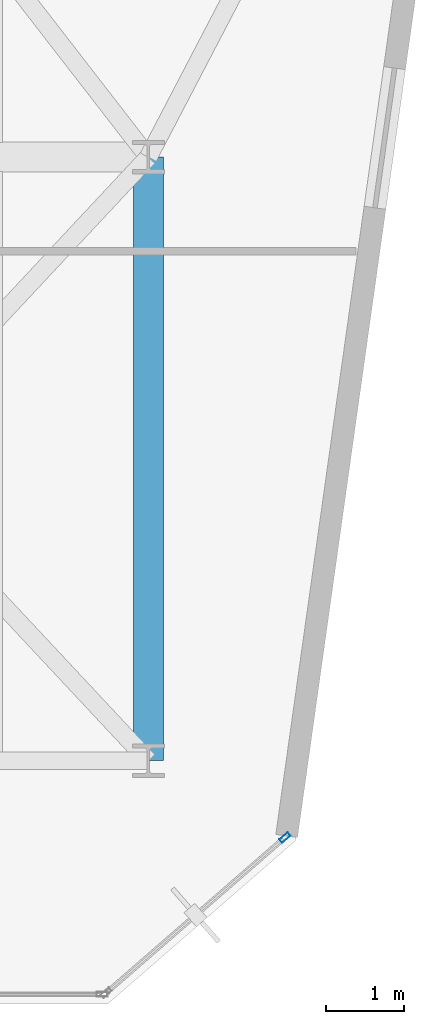
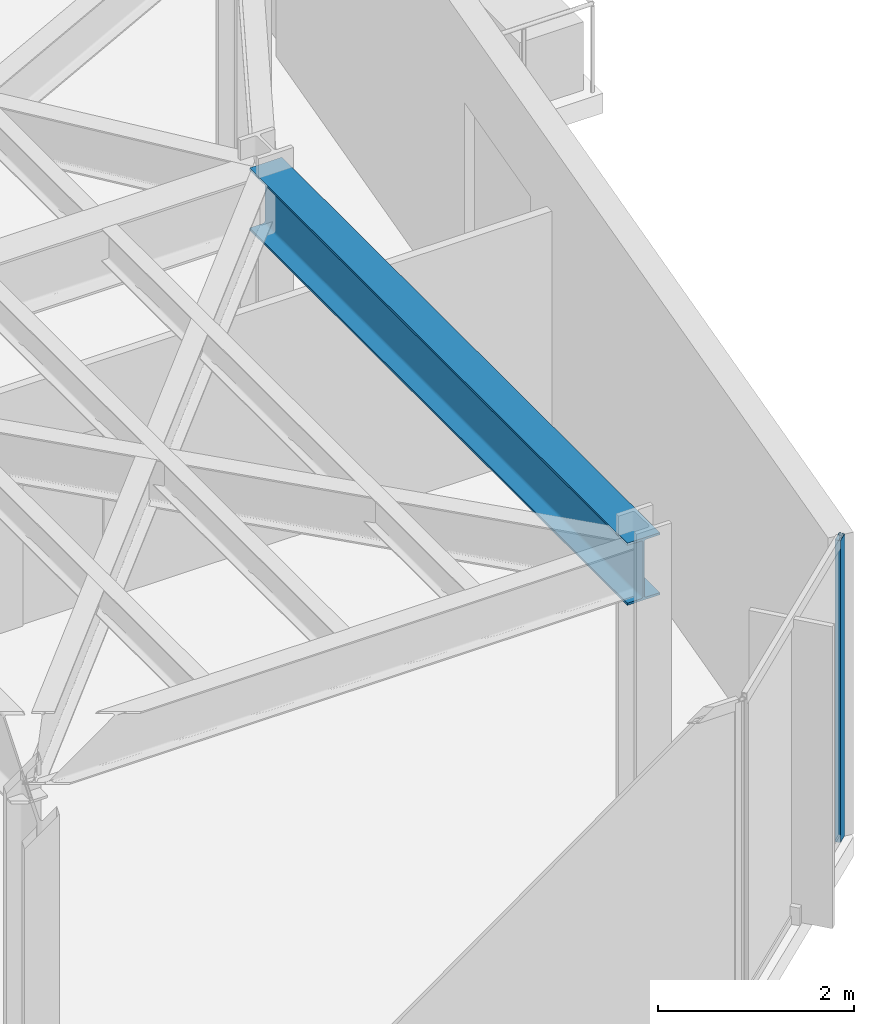
# One storey, part 20 of 27: 1 beam, 1 member, 1 element without a shape of its own.
"""IFC4 building model written with IfcOpenShell, lengths in metres."""

from ifc_helpers import new_model, si_unit, direction, frame, origin, origin_2d, place, context, subcontext, project, spatial, hollow_rectangle, i_section, extrude, material, layer, layer_set, material_profile, profile_set, type_object, element, aggregate, save


model = new_model("IFC4")

# Units and contexts
model_context = context("Model", 3, precision=1e-05, world=origin(), true_north=direction((0.0, 1.0)))
body_context = subcontext(model_context, "Body", "Model", "MODEL_VIEW")
ifc_project = project(units=[si_unit("LENGTHUNIT", "METRE"), si_unit("AREAUNIT", "SQUARE_METRE"), si_unit("VOLUMEUNIT", "CUBIC_METRE"), si_unit("PLANEANGLEUNIT", "RADIAN"), si_unit("MASSUNIT", "GRAM", prefix="KILO")], contexts=[model_context])

# Site, building, storey
site_placement = place(None, origin())
site = spatial("IfcSite", under=ifc_project, at=site_placement, CompositionType="ELEMENT")
building_placement = place(site_placement, origin())
building = spatial("IfcBuilding", under=site, at=building_placement, Name="Kravanh Interchange Tower", CompositionType="ELEMENT")
storey_placement = place(building_placement, frame((0.0, 0.0, 164.5)))
storey = spatial("IfcBuildingStorey", under=building, at=storey_placement, Name="L39", CompositionType="ELEMENT", Elevation=164.5)

# Curtain wall, member
ifc_material_1 = material(Name="Anodised Bronze Aluminium", Category="aluminium")
ifc_layer = layer(ifc_material_1, 0.179931640625)
ifc_layer_set = layer_set([ifc_layer], Name="Unitised Curtain Wall System CW-Z3 Upper Office")
curtain_wall_type = type_object("IfcCurtainWallType", Name="Unitised Curtain Wall System CW-Z3 Upper Office", PredefinedType="NOTDEFINED", material=ifc_layer_set)
curtain_wall_placement = place(storey_placement, origin())
curtain_wall = element("IfcCurtainWall", 1, at=curtain_wall_placement, inside=storey, type_object=curtain_wall_type, Name="L39 Unitised Curtain Wall CW-L39-02", PredefinedType="NOTDEFINED")
ifc_material_2 = material(Name="Anodised Bronze Aluminium", Category="aluminium")
ifc_material_profile_1 = material_profile(ifc_material_2, hollow_rectangle(XDim=0.06005859375, YDim=0.139892578125, WallThickness=0.00390625, at=origin_2d()), Name="ALU60X140X4")
ifc_profile_set_1 = profile_set([ifc_material_profile_1], Name="Anodised Bronze Aluminium")
member_type = type_object("IfcMemberType", Name="Curtain Wall Mullion ALU60X140X4 Bronze", PredefinedType="MULLION", material=ifc_profile_set_1)
member_placement = place(storey_placement, frame((64.94287109375, 13.52099609375, 0.0), z_axis=(0.0, 0.0, 1.0), x_axis=(0.65605090137, -0.754716645379, 0.0)))
member = element("IfcMember", 2, at=member_placement, type_object=member_type, Name="CW-Z3 mullion 1", PredefinedType="MULLION", context=body_context, shape_type="SweptSolid", body=[
    extrude(hollow_rectangle(XDim=0.06005859375, YDim=0.139892578125, WallThickness=0.00390625, at=origin_2d()), origin(), (0.0, 0.0, 1.0), 3.7548828125),
])
aggregate(curtain_wall, [member])

# Beam
ifc_material_3 = material(Name="Structural Steel S355", Category="steel")
ifc_material_profile_2 = material_profile(ifc_material_3, i_section(OverallWidth=0.381103515625, OverallDepth=0.77294921875, WebThickness=0.0166015625, FlangeThickness=0.027099609375, FilletRadius=0.02490234375, at=origin_2d()), Name="W30X173")
ifc_profile_set_2 = profile_set([ifc_material_profile_2], Name="Structural Steel S355")
beam_type = type_object("IfcBeamType", Name="Floor Beam W30X173 Structural Steel S355", PredefinedType="BEAM", material=ifc_profile_set_2)
beam_placement = place(storey_placement, frame((63.199951171875, 14.5, 3.368408203125), z_axis=(0.0, 1.0, 0.0), x_axis=(-1.0, 0.0, 0.0)))
element("IfcBeam", 3, at=beam_placement, inside=storey, type_object=beam_type, Name="L39 Primary Floor Girder 89", PredefinedType="BEAM", context=body_context, shape_type="SweptSolid", body=[
    extrude(i_section(OverallWidth=0.381103515625, OverallDepth=0.77294921875, WebThickness=0.0166015625, FlangeThickness=0.027099609375, FilletRadius=0.02490234375, at=origin_2d()), origin(), (0.0, 0.0, 1.0), 7.699951171875),
])

save(model, "model.ifc")
